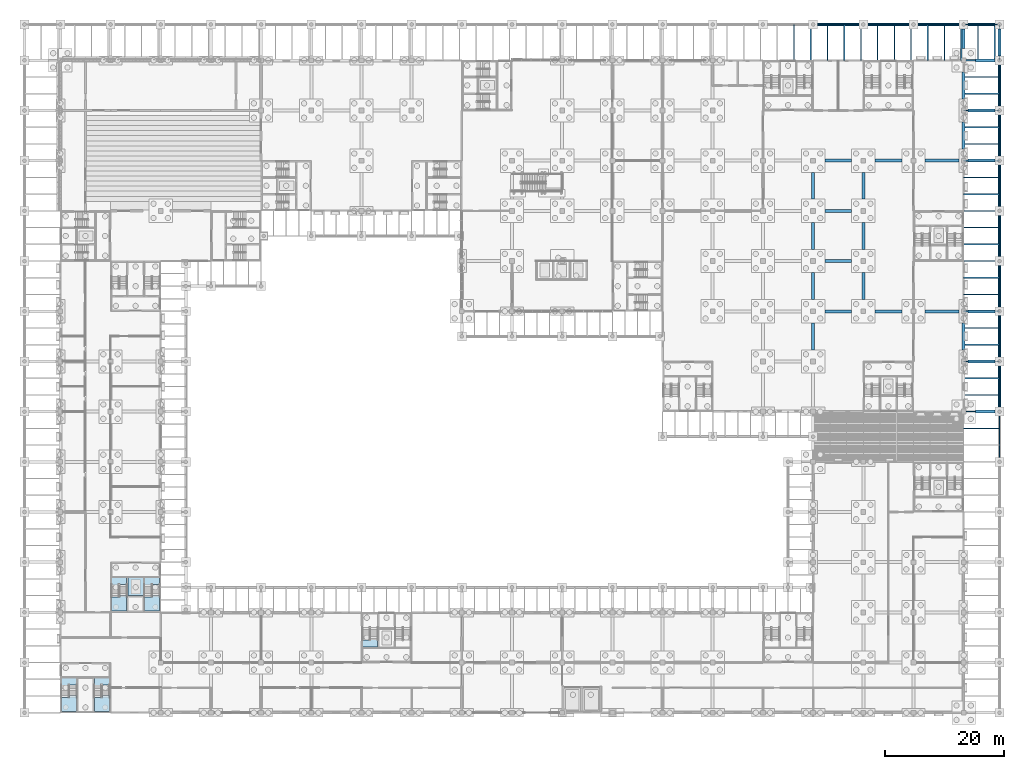
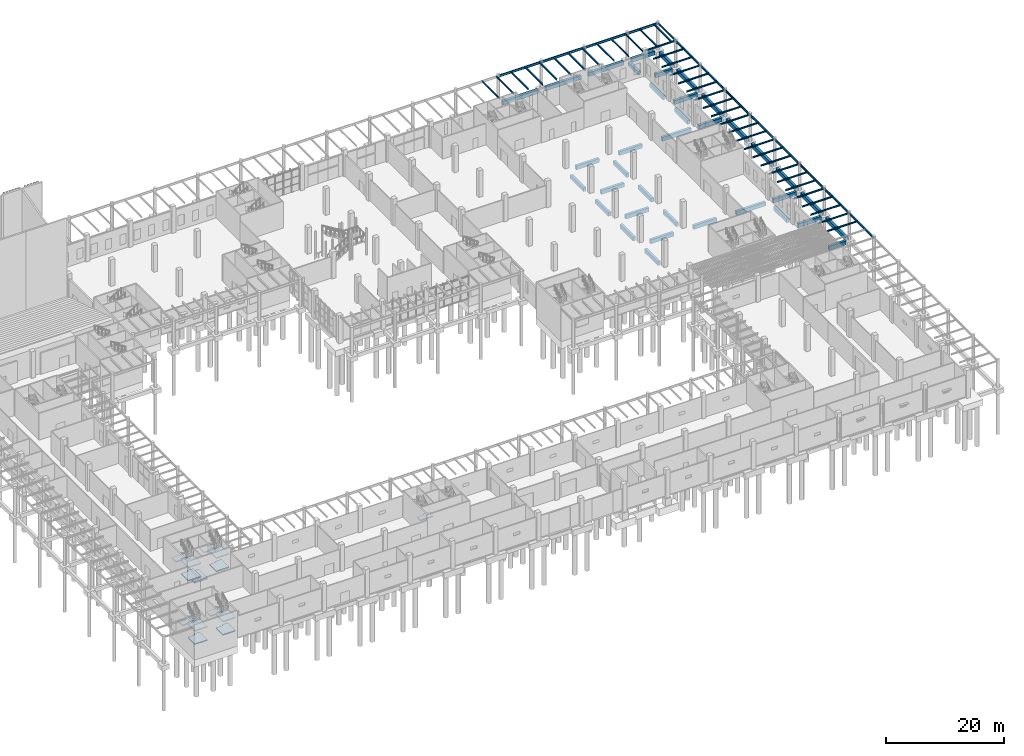
# One storey, part 20 of 82: 49 beams, 37 members, 14 slabs, 5 elements without a shape of their own.
"""IFC4 building model written with IfcOpenShell, lengths in metres."""

import ifcopenshell
import ifcopenshell.guid

model = None  # the IFC model being written
_history = None  # IfcOwnerHistory: only IFC2X3 demands one
_inside = {}  # id of a spatial element -> (the spatial element, [elements in it])
_under = {}  # id of a project, library or spatial element -> (it, [spatial elements below it])
_declared = {}  # id of a project -> (the project, [libraries it declares])
_typed = {}  # id of a type object -> (the type object, [elements of that type])
_made_of = {}  # id of a material, layer set ... -> (it, [elements and type objects made of it])


def new_model(schema):
    """Start an empty IFC model of exactly this schema.

    Asked for "IFC4X3", IfcOpenShell would pick the latest addendum, in which some entities
    have other attributes; the version numbers below select the first issue.
    IFC2X3 requires an IfcOwnerHistory on every rooted entity: one is made here for all.
    """
    global model, _history
    if schema == "IFC4X3":
        model = ifcopenshell.file(schema_version=(4, 3, 0, 0))
    else:
        model = ifcopenshell.file(schema=schema)
    _inside.clear()
    _under.clear()
    _declared.clear()
    _typed.clear()
    _made_of.clear()
    _history = None
    if model.schema == "IFC2X3":
        org = make("IfcOrganization", Name="unknown")
        user = make(
            "IfcPersonAndOrganization",
            ThePerson=make("IfcPerson", FamilyName="unknown"),
            TheOrganization=org,
        )
        app = make(
            "IfcApplication",
            ApplicationDeveloper=org,
            Version="unknown",
            ApplicationFullName="unknown",
            ApplicationIdentifier="unknown",
        )
        _history = make(
            "IfcOwnerHistory",
            OwningUser=user,
            OwningApplication=app,
            ChangeAction="ADDED",
            CreationDate=0,
        )
    return model


def make(cls, **values):
    """One entity of the class cls with the attributes given. An attribute that is None is left unset."""
    return model.create_entity(
        cls, **{name: value for name, value in values.items() if value is not None}
    )


def rooted(cls, **values):
    """An entity with a GlobalId (a new one), such as an element, a storey or a relation."""
    return make(cls, GlobalId=ifcopenshell.guid.new(), OwnerHistory=_history, **values)


def si_unit(unit_type, name, prefix=None):
    """IfcSIUnit, for example si_unit("LENGTHUNIT", "METRE", prefix="MILLI")."""
    return make("IfcSIUnit", UnitType=unit_type, Prefix=prefix, Name=name)


def assignment(units):
    """IfcUnitAssignment: the units of a project."""
    return None if units is None else make("IfcUnitAssignment", Units=units)


def point(xyz):
    """IfcCartesianPoint."""
    return None if xyz is None else make("IfcCartesianPoint", Coordinates=xyz)


def direction(xyz):
    """IfcDirection."""
    return None if xyz is None else make("IfcDirection", DirectionRatios=xyz)


def frame(location, z_axis=None, x_axis=None):
    """IfcAxis2Placement3D, a coordinate frame: its origin and axes. An axis left out is left unset."""
    return make(
        "IfcAxis2Placement3D",
        Location=point(location),
        Axis=direction(z_axis),
        RefDirection=direction(x_axis),
    )


def frame_2d(location, x_axis=None):
    """IfcAxis2Placement2D, a coordinate frame in the plane: its origin and x axis."""
    return make(
        "IfcAxis2Placement2D", Location=point(location), RefDirection=direction(x_axis)
    )


def origin():
    """The frame at (0, 0, 0) with its axes left unset."""
    return frame((0.0, 0.0, 0.0))


def origin_2d():
    """The frame at (0, 0) in the plane with its x axis left unset."""
    return frame_2d((0.0, 0.0))


def place(relative_to, where):
    """IfcLocalPlacement: puts the frame where relative to a parent placement (None: the world)."""
    return make(
        "IfcLocalPlacement", PlacementRelTo=relative_to, RelativePlacement=where
    )


def context(
    kind, dimensions, precision=None, world=None, true_north=None, identifier=None
):
    """IfcGeometricRepresentationContext, for example the 3D "Model" context."""
    return make(
        "IfcGeometricRepresentationContext",
        ContextIdentifier=identifier,
        ContextType=kind,
        CoordinateSpaceDimension=dimensions,
        Precision=precision,
        WorldCoordinateSystem=world,
        TrueNorth=true_north,
    )


def subcontext(parent, identifier, kind, view, scale=None):
    """IfcGeometricRepresentationSubContext, for example "Body" below "Model"."""
    return make(
        "IfcGeometricRepresentationSubContext",
        ContextIdentifier=identifier,
        ContextType=kind,
        ParentContext=parent,
        TargetScale=scale,
        TargetView=view,
    )


def project(units=None, contexts=None):
    """IfcProject with its units and contexts."""
    return rooted(
        "IfcProject",
        Name="project",
        RepresentationContexts=contexts,
        UnitsInContext=assignment(units),
    )


def spatial(cls, under=None, at=None, **own):
    """A site, building, storey or space (cls), placed at a placement, below another one or the project."""
    s = rooted(cls, ObjectPlacement=at, **own)
    if under is not None:
        _under.setdefault(under.id(), (under, []))[1].append(s)
    return s


def polyline(points):
    """IfcPolyline through the points."""
    return make("IfcPolyline", Points=[point(p) for p in points])


def profile(cls, at=None, kind="AREA", **sizes):
    """A parametric profile (cls). Its sizes go by their IFC names, for example OverallWidth=200.0."""
    return make(cls, ProfileType=kind, Position=at, **sizes)


def rectangle(**sizes):
    """IfcRectangleProfileDef."""
    return profile("IfcRectangleProfileDef", **sizes)


def i_section(**sizes):
    """IfcIShapeProfileDef."""
    return profile("IfcIShapeProfileDef", **sizes)


def outline(outer, holes=None, kind="AREA"):
    """IfcArbitraryClosedProfileDef: a profile drawn as a closed curve; with holes, ...WithVoids."""
    if holes is None:
        return make("IfcArbitraryClosedProfileDef", ProfileType=kind, OuterCurve=outer)
    return make(
        "IfcArbitraryProfileDefWithVoids",
        ProfileType=kind,
        OuterCurve=outer,
        InnerCurves=holes,
    )


def extrude(swept, where, along, depth):
    """IfcExtrudedAreaSolid: the profile swept, set in the frame where, extruded along a direction by depth."""
    return make(
        "IfcExtrudedAreaSolid",
        SweptArea=swept,
        Position=where,
        ExtrudedDirection=direction(along),
        Depth=depth,
    )


def shape(context_of_items, identifier, shape_type, items):
    """IfcShapeRepresentation: the items that make up one representation, for example the "Body"."""
    return make(
        "IfcShapeRepresentation",
        ContextOfItems=context_of_items,
        RepresentationIdentifier=identifier,
        RepresentationType=shape_type,
        Items=items,
    )


def material(Name=None, Category=None):
    """IfcMaterial."""
    return make("IfcMaterial", Name=Name, Category=Category)


def layer(
    of_material, thickness, ventilated=None, Name=None, Category=None, Priority=None
):
    """IfcMaterialLayer: one layer of a wall or slab, of a material (None: an air gap)."""
    return make(
        "IfcMaterialLayer",
        Material=of_material,
        LayerThickness=thickness,
        IsVentilated=ventilated,
        Name=Name,
        Category=Category,
        Priority=Priority,
    )


def layer_set(layers, Name=None):
    """IfcMaterialLayerSet."""
    return make("IfcMaterialLayerSet", MaterialLayers=layers, LayerSetName=Name)


def material_profile(
    of_material, cross_section, Name=None, Category=None, Priority=None
):
    """IfcMaterialProfile: a cross section and its material."""
    return make(
        "IfcMaterialProfile",
        Name=Name,
        Material=of_material,
        Profile=cross_section,
        Priority=Priority,
        Category=Category,
    )


def profile_set(profiles, Name=None, composite=None):
    """IfcMaterialProfileSet."""
    return make(
        "IfcMaterialProfileSet",
        Name=Name,
        MaterialProfiles=profiles,
        CompositeProfile=composite,
    )


def made_of(thing, what):
    """Note that an element or type object is made of a material, layer set ...; save() writes the relation."""
    if what is not None:
        _made_of.setdefault(what.id(), (what, []))[1].append(thing)
    return thing


def type_object(cls, material=None, **own):
    """A type object (cls), such as IfcWallType, which elements share."""
    return made_of(rooted(cls, **own), material)


def element(
    cls,
    number,
    at=None,
    inside=None,
    cuts=None,
    type_object=None,
    material=None,
    context=None,
    identifier="Body",
    shape_type=None,
    held_by="IfcProductDefinitionShape",
    body=None,
    shapes=None,
    **own,
):
    """One element of the class cls, such as IfcWall. Its Tag is "e" and its number.

    at: its placement. inside: the storey or other place that contains it. cuts: it is an
    opening in that element (IfcRelVoidsElement). A single representation is given by context,
    identifier, shape_type and body (its items); several are given by shapes. held_by: the class
    of the entity that holds the representations. save() writes the other relations.
    """
    e = rooted(cls, Tag="e%d" % number, ObjectPlacement=at, **own)
    if body is not None:
        shapes = [shape(context, identifier, shape_type, body)]
    if shapes is not None:
        e.Representation = make(held_by, Representations=shapes)
    if inside is not None:
        _inside.setdefault(inside.id(), (inside, []))[1].append(e)
    if cuts is not None:
        rooted(
            "IfcRelVoidsElement", RelatingBuildingElement=cuts, RelatedOpeningElement=e
        )
    if type_object is not None:
        _typed.setdefault(type_object.id(), (type_object, []))[1].append(e)
    return made_of(e, material)


def aggregate(whole, parts):
    """IfcRelAggregates: a whole, such as a stair, and the parts it consists of."""
    return rooted("IfcRelAggregates", RelatingObject=whole, RelatedObjects=parts)


def save(model, path):
    """Write the relations noted so far, then the file.

    IfcRelAggregates (storeys below a building ...), IfcRelContainedInSpatialStructure (elements
    in a storey), IfcRelDefinesByType, IfcRelAssociatesMaterial and IfcRelDeclares: one each for
    every whole, place, type object, material and project.
    """
    for whole, parts in _under.values():
        aggregate(whole, parts)
    for where, things in _inside.values():
        rooted(
            "IfcRelContainedInSpatialStructure",
            RelatedElements=things,
            RelatingStructure=where,
        )
    for kind, things in _typed.values():
        rooted("IfcRelDefinesByType", RelatedObjects=things, RelatingType=kind)
    for what, things in _made_of.values():
        rooted("IfcRelAssociatesMaterial", RelatedObjects=things, RelatingMaterial=what)
    for by, libraries in _declared.values():
        rooted("IfcRelDeclares", RelatingContext=by, RelatedDefinitions=libraries)
    model.write(path)


model = new_model("IFC4")

# Units and contexts
model_context = context("Model", 3, precision=1e-05, world=origin(), true_north=direction((0.0, 1.0)))
body_context = subcontext(model_context, "Body", "Model", "MODEL_VIEW")
ifc_project = project(units=[si_unit("LENGTHUNIT", "METRE"), si_unit("AREAUNIT", "SQUARE_METRE"), si_unit("VOLUMEUNIT", "CUBIC_METRE"), si_unit("PLANEANGLEUNIT", "RADIAN"), si_unit("MASSUNIT", "GRAM", prefix="KILO")], contexts=[model_context])

# Site, building, storey
site_placement = place(None, origin())
site = spatial("IfcSite", under=ifc_project, at=site_placement, CompositionType="ELEMENT")
building_placement = place(site_placement, origin())
building = spatial("IfcBuilding", under=site, at=building_placement, Name="Almond Square Museum", CompositionType="ELEMENT")
storey_placement = place(building_placement, origin())
storey = spatial("IfcBuildingStorey", under=building, at=storey_placement, Name="L00", CompositionType="ELEMENT", Elevation=0.0)

# Beams
ifc_material_1 = material(Name="Structural steel S355", Category="steel")
ifc_material_profile_1 = material_profile(ifc_material_1, i_section(OverallWidth=0.19091796875, OverallDepth=0.45703125, WebThickness=0.009033203125, FlangeThickness=0.014404296875, at=origin_2d()))
ifc_profile_set_1 = profile_set([ifc_material_profile_1], Name="Structural steel S355")
beam_type_1 = type_object("IfcBeamType", Name="Eave beam W460x74", PredefinedType="BEAM", material=ifc_profile_set_1)
beam_1_placement = place(storey_placement, frame((132.0, 115.199951171875, 5.021484375), z_axis=(1.0, 0.0, 0.0), x_axis=(0.0, 1.0, 0.0)))
element("IfcBeam", 1, at=beam_1_placement, inside=storey, type_object=beam_type_1, Name="ARN roof edge beam 17", PredefinedType="BEAM", context=body_context, shape_type="SweptSolid", body=[
    extrude(i_section(OverallWidth=0.19091796875, OverallDepth=0.45703125, WebThickness=0.009033203125, FlangeThickness=0.014404296875, at=origin_2d()), origin(), (0.0, 0.0, 1.0), 8.39990234375),
])
beam_2_placement = place(storey_placement, frame((140.39990234375, 115.199951171875, 5.021484375), z_axis=(1.0, 0.0, 0.0), x_axis=(0.0, 1.0, 0.0)))
element("IfcBeam", 2, at=beam_2_placement, inside=storey, type_object=beam_type_1, Name="ARN roof edge beam 18", PredefinedType="BEAM", context=body_context, shape_type="SweptSolid", body=[
    extrude(i_section(OverallWidth=0.19091796875, OverallDepth=0.45703125, WebThickness=0.009033203125, FlangeThickness=0.014404296875, at=origin_2d()), origin(), (0.0, 0.0, 1.0), 8.400146484375),
])
beam_3_placement = place(storey_placement, frame((148.800048828125, 115.199951171875, 5.021484375), z_axis=(1.0, 0.0, 0.0), x_axis=(0.0, 1.0, 0.0)))
element("IfcBeam", 3, at=beam_3_placement, inside=storey, type_object=beam_type_1, Name="ARN roof edge beam 19", PredefinedType="BEAM", context=body_context, shape_type="SweptSolid", body=[
    extrude(i_section(OverallWidth=0.19091796875, OverallDepth=0.45703125, WebThickness=0.009033203125, FlangeThickness=0.014404296875, at=origin_2d()), origin(), (0.0, 0.0, 1.0), 8.39990234375),
])
beam_4_placement = place(storey_placement, frame((157.199951171875, 115.199951171875, 5.021484375), z_axis=(1.0, 0.0, 0.0), x_axis=(0.0, 1.0, 0.0)))
element("IfcBeam", 4, at=beam_4_placement, inside=storey, type_object=beam_type_1, Name="ARN roof edge beam 20", PredefinedType="BEAM", context=body_context, shape_type="SweptSolid", body=[
    extrude(i_section(OverallWidth=0.19091796875, OverallDepth=0.45703125, WebThickness=0.009033203125, FlangeThickness=0.014404296875, at=origin_2d()), origin(), (0.0, 0.0, 1.0), 6.0),
])
beam_5_placement = place(storey_placement, frame((163.199951171875, 42.0, 5.021484375), z_axis=(0.0, 1.0, 0.0), x_axis=(-1.0, 0.0, 0.0)))
element("IfcBeam", 5, at=beam_5_placement, inside=storey, type_object=beam_type_1, Name="ARE roof edge beam 6", PredefinedType="BEAM", context=body_context, shape_type="SweptSolid", body=[
    extrude(i_section(OverallWidth=0.19091796875, OverallDepth=0.45703125, WebThickness=0.009033203125, FlangeThickness=0.014404296875, at=origin_2d()), origin(), (0.0, 0.0, 1.0), 8.39990234375),
])
beam_6_placement = place(storey_placement, frame((163.199951171875, 50.39990234375, 5.021484375), z_axis=(0.0, 1.0, 0.0), x_axis=(-1.0, 0.0, 0.0)))
element("IfcBeam", 6, at=beam_6_placement, inside=storey, type_object=beam_type_1, Name="ARE roof edge beam 7", PredefinedType="BEAM", context=body_context, shape_type="SweptSolid", body=[
    extrude(i_section(OverallWidth=0.19091796875, OverallDepth=0.45703125, WebThickness=0.009033203125, FlangeThickness=0.014404296875, at=origin_2d()), origin(), (0.0, 0.0, 1.0), 8.400146484375),
])
beam_7_placement = place(storey_placement, frame((163.199951171875, 58.800048828125, 5.021484375), z_axis=(0.0, 1.0, 0.0), x_axis=(-1.0, 0.0, 0.0)))
element("IfcBeam", 7, at=beam_7_placement, inside=storey, type_object=beam_type_1, Name="ARE roof edge beam 8", PredefinedType="BEAM", context=body_context, shape_type="SweptSolid", body=[
    extrude(i_section(OverallWidth=0.19091796875, OverallDepth=0.45703125, WebThickness=0.009033203125, FlangeThickness=0.014404296875, at=origin_2d()), origin(), (0.0, 0.0, 1.0), 8.39990234375),
])
beam_8_placement = place(storey_placement, frame((163.199951171875, 67.199951171875, 5.021484375), z_axis=(0.0, 1.0, 0.0), x_axis=(-1.0, 0.0, 0.0)))
element("IfcBeam", 8, at=beam_8_placement, inside=storey, type_object=beam_type_1, Name="ARE roof edge beam 9", PredefinedType="BEAM", context=body_context, shape_type="SweptSolid", body=[
    extrude(i_section(OverallWidth=0.19091796875, OverallDepth=0.45703125, WebThickness=0.009033203125, FlangeThickness=0.014404296875, at=origin_2d()), origin(), (0.0, 0.0, 1.0), 8.400146484375),
])
for number, where, z_axis, x_axis, name in (
    (9, (163.199951171875, 75.60009765625, 5.021484375), (0.0, 1.0, 0.0), (-1.0, 0.0, 0.0), "ARE roof edge beam 10"),
    (10, (163.199951171875, 84.0, 5.021484375), (0.0, 1.0, 0.0), (-1.0, 0.0, 0.0), "ARE roof edge beam 11"),
):
    element("IfcBeam", number, at=place(storey_placement, frame(where, z_axis=z_axis, x_axis=x_axis)), inside=storey, type_object=beam_type_1, Name=name, PredefinedType="BEAM", context=body_context, shape_type="SweptSolid", body=[
        extrude(i_section(OverallWidth=0.19091796875, OverallDepth=0.45703125, WebThickness=0.009033203125, FlangeThickness=0.014404296875, at=origin_2d()), origin(), (0.0, 0.0, 1.0), 8.39990234375),
    ])
beam_9_placement = place(storey_placement, frame((163.199951171875, 92.39990234375, 5.021484375), z_axis=(0.0, 1.0, 0.0), x_axis=(-1.0, 0.0, 0.0)))
element("IfcBeam", 11, at=beam_9_placement, inside=storey, type_object=beam_type_1, Name="ARE roof edge beam 12", PredefinedType="BEAM", context=body_context, shape_type="SweptSolid", body=[
    extrude(i_section(OverallWidth=0.19091796875, OverallDepth=0.45703125, WebThickness=0.009033203125, FlangeThickness=0.014404296875, at=origin_2d()), origin(), (0.0, 0.0, 1.0), 8.400146484375),
])
beam_10_placement = place(storey_placement, frame((163.199951171875, 100.800048828125, 5.021484375), z_axis=(0.0, 1.0, 0.0), x_axis=(-1.0, 0.0, 0.0)))
element("IfcBeam", 12, at=beam_10_placement, inside=storey, type_object=beam_type_1, Name="ARE roof edge beam 13", PredefinedType="BEAM", context=body_context, shape_type="SweptSolid", body=[
    extrude(i_section(OverallWidth=0.19091796875, OverallDepth=0.45703125, WebThickness=0.009033203125, FlangeThickness=0.014404296875, at=origin_2d()), origin(), (0.0, 0.0, 1.0), 8.39990234375),
])
ifc_material_2 = material(Name="Concrete C35/45", Category="concrete")
ifc_material_profile_2 = material_profile(ifc_material_2, rectangle(XDim=0.5, YDim=0.800048828125, at=origin_2d()))
ifc_profile_set_2 = profile_set([ifc_material_profile_2], Name="Concrete C35/45")
beam_type_2 = type_object("IfcBeamType", Name="RC ground beam 500 x 800 C35/45", PredefinedType="BEAM", material=ifc_profile_set_2)
beam_11_placement = place(storey_placement, frame((159.14990234375, 50.39990234375, -0.699951171875), z_axis=(1.0, 0.0, 0.0), x_axis=(0.0, 1.0, 0.0)))
element("IfcBeam", 13, at=beam_11_placement, inside=storey, type_object=beam_type_2, Name="Ground beam 077", PredefinedType="BEAM", context=body_context, shape_type="SweptSolid", body=[
    extrude(rectangle(XDim=0.5, YDim=0.800048828125, at=origin_2d()), origin(), (0.0, 0.0, 1.0), 3.300048828125),
])
for number, where, z_axis, x_axis, name in (
    (14, (157.949951171875, 58.800048828125, -0.699951171875), (1.0, 0.0, 0.0), (0.0, 1.0, 0.0), "Ground beam 083"),
    (15, (133.949951171875, 67.199951171875, -0.699951171875), (1.0, 0.0, 0.0), (0.0, 1.0, 0.0), "Ground beam 093"),
    (16, (142.35009765625, 67.199951171875, -0.699951171875), (1.0, 0.0, 0.0), (0.0, 1.0, 0.0), "Ground beam 094"),
):
    element("IfcBeam", number, at=place(storey_placement, frame(where, z_axis=z_axis, x_axis=x_axis)), inside=storey, type_object=beam_type_2, Name=name, PredefinedType="BEAM", context=body_context, shape_type="SweptSolid", body=[
        extrude(rectangle(XDim=0.5, YDim=0.800048828125, at=origin_2d()), origin(), (0.0, 0.0, 1.0), 4.5),
    ])
beam_12_placement = place(storey_placement, frame((150.75, 67.199951171875, -0.699951171875), z_axis=(1.0, 0.0, 0.0), x_axis=(0.0, 1.0, 0.0)))
element("IfcBeam", 17, at=beam_12_placement, inside=storey, type_object=beam_type_2, Name="Ground beam 095", PredefinedType="BEAM", context=body_context, shape_type="SweptSolid", body=[
    extrude(rectangle(XDim=0.5, YDim=0.800048828125, at=origin_2d()), origin(), (0.0, 0.0, 1.0), 5.699951171875),
])
for number, where, z_axis, x_axis, name in (
    (18, (157.949951171875, 67.199951171875, -0.699951171875), (1.0, 0.0, 0.0), (0.0, 1.0, 0.0), "Ground beam 096"),
    (19, (133.949951171875, 75.60009765625, -0.699951171875), (1.0, 0.0, 0.0), (0.0, 1.0, 0.0), "Ground beam 102"),
    (20, (133.949951171875, 84.0, -0.699951171875), (1.0, 0.0, 0.0), (0.0, 1.0, 0.0), "Ground beam 112"),
    (21, (133.949951171875, 92.39990234375, -0.699951171875), (1.0, 0.0, 0.0), (0.0, 1.0, 0.0), "Ground beam 120"),
    (22, (142.35009765625, 92.39990234375, -0.699951171875), (1.0, 0.0, 0.0), (0.0, 1.0, 0.0), "Ground beam 121"),
):
    element("IfcBeam", number, at=place(storey_placement, frame(where, z_axis=z_axis, x_axis=x_axis)), inside=storey, type_object=beam_type_2, Name=name, PredefinedType="BEAM", context=body_context, shape_type="SweptSolid", body=[
        extrude(rectangle(XDim=0.5, YDim=0.800048828125, at=origin_2d()), origin(), (0.0, 0.0, 1.0), 4.5),
    ])
beam_13_placement = place(storey_placement, frame((150.75, 92.39990234375, -0.699951171875), z_axis=(1.0, 0.0, 0.0), x_axis=(0.0, 1.0, 0.0)))
element("IfcBeam", 23, at=beam_13_placement, inside=storey, type_object=beam_type_2, Name="Ground beam 122", PredefinedType="BEAM", context=body_context, shape_type="SweptSolid", body=[
    extrude(rectangle(XDim=0.5, YDim=0.800048828125, at=origin_2d()), origin(), (0.0, 0.0, 1.0), 5.699951171875),
])
for number, where, z_axis, x_axis, name in (
    (24, (157.949951171875, 92.39990234375, -0.699951171875), (1.0, 0.0, 0.0), (0.0, 1.0, 0.0), "Ground beam 123"),
    (25, (157.949951171875, 100.800048828125, -0.699951171875), (1.0, 0.0, 0.0), (0.0, 1.0, 0.0), "Ground beam 131"),
):
    element("IfcBeam", number, at=place(storey_placement, frame(where, z_axis=z_axis, x_axis=x_axis)), inside=storey, type_object=beam_type_2, Name=name, PredefinedType="BEAM", context=body_context, shape_type="SweptSolid", body=[
        extrude(rectangle(XDim=0.5, YDim=0.800048828125, at=origin_2d()), origin(), (0.0, 0.0, 1.0), 4.5),
    ])
beam_14_placement = place(storey_placement, frame((159.14990234375, 109.199951171875, -0.699951171875), z_axis=(1.0, 0.0, 0.0), x_axis=(0.0, 1.0, 0.0)))
element("IfcBeam", 26, at=beam_14_placement, inside=storey, type_object=beam_type_2, Name="Ground beam 143", PredefinedType="BEAM", context=body_context, shape_type="SweptSolid", body=[
    extrude(rectangle(XDim=0.5, YDim=0.800048828125, at=origin_2d()), origin(), (0.0, 0.0, 1.0), 3.300048828125),
])
beam_15_placement = place(storey_placement, frame((132.75, 115.199951171875, -0.699951171875), z_axis=(1.0, 0.0, 0.0), x_axis=(0.0, 1.0, 0.0)))
element("IfcBeam", 27, at=beam_15_placement, inside=storey, type_object=beam_type_2, Name="Ground beam 160", PredefinedType="BEAM", context=body_context, shape_type="SweptSolid", body=[
    extrude(rectangle(XDim=0.5, YDim=0.800048828125, at=origin_2d()), origin(), (0.0, 0.0, 1.0), 6.89990234375),
])
beam_16_placement = place(storey_placement, frame((141.14990234375, 115.199951171875, -0.699951171875), z_axis=(1.0, 0.0, 0.0), x_axis=(0.0, 1.0, 0.0)))
element("IfcBeam", 28, at=beam_16_placement, inside=storey, type_object=beam_type_2, Name="Ground beam 161", PredefinedType="BEAM", context=body_context, shape_type="SweptSolid", body=[
    extrude(rectangle(XDim=0.5, YDim=0.800048828125, at=origin_2d()), origin(), (0.0, 0.0, 1.0), 6.900146484375),
])
beam_17_placement = place(storey_placement, frame((149.550048828125, 115.199951171875, -0.699951171875), z_axis=(1.0, 0.0, 0.0), x_axis=(0.0, 1.0, 0.0)))
element("IfcBeam", 29, at=beam_17_placement, inside=storey, type_object=beam_type_2, Name="Ground beam 162", PredefinedType="BEAM", context=body_context, shape_type="SweptSolid", body=[
    extrude(rectangle(XDim=0.5, YDim=0.800048828125, at=origin_2d()), origin(), (0.0, 0.0, 1.0), 6.89990234375),
])
for number, where, z_axis, x_axis, name in (
    (30, (157.949951171875, 115.199951171875, -0.699951171875), (1.0, 0.0, 0.0), (0.0, 1.0, 0.0), "Ground beam 163"),
    (31, (132.0, 60.75, -0.699951171875), (0.0, 1.0, 0.0), (-1.0, 0.0, 0.0), "Ground beam 281"),
    (32, (132.0, 69.14990234375, -0.699951171875), (0.0, 1.0, 0.0), (-1.0, 0.0, 0.0), "Ground beam 282"),
    (33, (132.0, 77.550048828125, -0.699951171875), (0.0, 1.0, 0.0), (-1.0, 0.0, 0.0), "Ground beam 283"),
    (34, (132.0, 85.949951171875, -0.699951171875), (0.0, 1.0, 0.0), (-1.0, 0.0, 0.0), "Ground beam 284"),
    (35, (140.39990234375, 69.14990234375, -0.699951171875), (0.0, 1.0, 0.0), (-1.0, 0.0, 0.0), "Ground beam 290"),
    (36, (140.39990234375, 77.550048828125, -0.699951171875), (0.0, 1.0, 0.0), (-1.0, 0.0, 0.0), "Ground beam 291"),
    (37, (140.39990234375, 85.949951171875, -0.699951171875), (0.0, 1.0, 0.0), (-1.0, 0.0, 0.0), "Ground beam 292"),
    (38, (157.199951171875, 60.75, -0.699951171875), (0.0, 1.0, 0.0), (-1.0, 0.0, 0.0), "Ground beam 300"),
    (39, (157.199951171875, 94.35009765625, -0.699951171875), (0.0, 1.0, 0.0), (-1.0, 0.0, 0.0), "Ground beam 301"),
    (40, (157.199951171875, 102.75, -0.699951171875), (0.0, 1.0, 0.0), (-1.0, 0.0, 0.0), "Ground beam 302"),
):
    element("IfcBeam", number, at=place(storey_placement, frame(where, z_axis=z_axis, x_axis=x_axis)), inside=storey, type_object=beam_type_2, Name=name, PredefinedType="BEAM", context=body_context, shape_type="SweptSolid", body=[
        extrude(rectangle(XDim=0.5, YDim=0.800048828125, at=origin_2d()), origin(), (0.0, 0.0, 1.0), 4.5),
    ])
beam_18_placement = place(storey_placement, frame((157.199951171875, 111.14990234375, -0.699951171875), z_axis=(0.0, 1.0, 0.0), x_axis=(-1.0, 0.0, 0.0)))
element("IfcBeam", 41, at=beam_18_placement, inside=storey, type_object=beam_type_2, Name="Ground beam 303", PredefinedType="BEAM", context=body_context, shape_type="SweptSolid", body=[
    extrude(rectangle(XDim=0.5, YDim=0.800048828125, at=origin_2d()), origin(), (0.0, 0.0, 1.0), 3.300048828125),
])
beam_19_placement = place(storey_placement, frame((163.199951171875, 51.14990234375, -0.699951171875), z_axis=(0.0, 1.0, 0.0), x_axis=(-1.0, 0.0, 0.0)))
element("IfcBeam", 42, at=beam_19_placement, inside=storey, type_object=beam_type_2, Name="Ground beam 310", PredefinedType="BEAM", context=body_context, shape_type="SweptSolid", body=[
    extrude(rectangle(XDim=0.5, YDim=0.800048828125, at=origin_2d()), origin(), (0.0, 0.0, 1.0), 6.900146484375),
])
beam_20_placement = place(storey_placement, frame((163.199951171875, 59.550048828125, -0.699951171875), z_axis=(0.0, 1.0, 0.0), x_axis=(-1.0, 0.0, 0.0)))
element("IfcBeam", 43, at=beam_20_placement, inside=storey, type_object=beam_type_2, Name="Ground beam 311", PredefinedType="BEAM", context=body_context, shape_type="SweptSolid", body=[
    extrude(rectangle(XDim=0.5, YDim=0.800048828125, at=origin_2d()), origin(), (0.0, 0.0, 1.0), 6.89990234375),
])
beam_21_placement = place(storey_placement, frame((163.199951171875, 67.949951171875, -0.699951171875), z_axis=(0.0, 1.0, 0.0), x_axis=(-1.0, 0.0, 0.0)))
element("IfcBeam", 44, at=beam_21_placement, inside=storey, type_object=beam_type_2, Name="Ground beam 312", PredefinedType="BEAM", context=body_context, shape_type="SweptSolid", body=[
    extrude(rectangle(XDim=0.5, YDim=0.800048828125, at=origin_2d()), origin(), (0.0, 0.0, 1.0), 6.900146484375),
])
for number, where, z_axis, x_axis, name in (
    (45, (163.199951171875, 76.35009765625, -0.699951171875), (0.0, 1.0, 0.0), (-1.0, 0.0, 0.0), "Ground beam 313"),
    (46, (163.199951171875, 84.75, -0.699951171875), (0.0, 1.0, 0.0), (-1.0, 0.0, 0.0), "Ground beam 314"),
):
    element("IfcBeam", number, at=place(storey_placement, frame(where, z_axis=z_axis, x_axis=x_axis)), inside=storey, type_object=beam_type_2, Name=name, PredefinedType="BEAM", context=body_context, shape_type="SweptSolid", body=[
        extrude(rectangle(XDim=0.5, YDim=0.800048828125, at=origin_2d()), origin(), (0.0, 0.0, 1.0), 6.89990234375),
    ])
beam_22_placement = place(storey_placement, frame((163.199951171875, 93.14990234375, -0.699951171875), z_axis=(0.0, 1.0, 0.0), x_axis=(-1.0, 0.0, 0.0)))
element("IfcBeam", 47, at=beam_22_placement, inside=storey, type_object=beam_type_2, Name="Ground beam 315", PredefinedType="BEAM", context=body_context, shape_type="SweptSolid", body=[
    extrude(rectangle(XDim=0.5, YDim=0.800048828125, at=origin_2d()), origin(), (0.0, 0.0, 1.0), 6.900146484375),
])
beam_23_placement = place(storey_placement, frame((163.199951171875, 101.550048828125, -0.699951171875), z_axis=(0.0, 1.0, 0.0), x_axis=(-1.0, 0.0, 0.0)))
element("IfcBeam", 48, at=beam_23_placement, inside=storey, type_object=beam_type_2, Name="Ground beam 316", PredefinedType="BEAM", context=body_context, shape_type="SweptSolid", body=[
    extrude(rectangle(XDim=0.5, YDim=0.800048828125, at=origin_2d()), origin(), (0.0, 0.0, 1.0), 6.89990234375),
])
beam_24_placement = place(storey_placement, frame((163.199951171875, 109.949951171875, -0.699951171875), z_axis=(0.0, 1.0, 0.0), x_axis=(-1.0, 0.0, 0.0)))
element("IfcBeam", 49, at=beam_24_placement, inside=storey, type_object=beam_type_2, Name="Ground beam 317", PredefinedType="BEAM", context=body_context, shape_type="SweptSolid", body=[
    extrude(rectangle(XDim=0.5, YDim=0.800048828125, at=origin_2d()), origin(), (0.0, 0.0, 1.0), 4.5),
])

# Members
ifc_material_3 = material(Name="Structural steel S355", Category="steel")
ifc_material_profile_3 = material_profile(ifc_material_3, i_section(OverallWidth=0.202880859375, OverallDepth=0.302001953125, WebThickness=0.007568359375, FlangeThickness=0.01318359375, at=origin_2d()))
ifc_profile_set_3 = profile_set([ifc_material_profile_3], Name="Structural steel S355")
member_type = type_object("IfcMemberType", Name="Steel joist W310x60", PredefinedType="MEMBER", material=ifc_profile_set_3)
for number, where, z_axis, x_axis, name in (
    (50, (128.800048828125, 109.199951171875, 5.09912109375), (0.0, 1.0, 0.0), (-1.0, 0.0, 0.0), "ARN roof joist 47"),
    (51, (131.60009765625, 109.199951171875, 5.09912109375), (0.0, 1.0, 0.0), (-1.0, 0.0, 0.0), "ARN roof joist 48"),
    (52, (134.39990234375, 109.199951171875, 5.09912109375), (0.0, 1.0, 0.0), (-1.0, 0.0, 0.0), "ARN roof joist 49"),
    (53, (137.199951171875, 109.199951171875, 5.09912109375), (0.0, 1.0, 0.0), (-1.0, 0.0, 0.0), "ARN roof joist 50"),
    (54, (140.0, 109.199951171875, 5.09912109375), (0.0, 1.0, 0.0), (-1.0, 0.0, 0.0), "ARN roof joist 51"),
    (55, (142.800048828125, 109.199951171875, 5.09912109375), (0.0, 1.0, 0.0), (-1.0, 0.0, 0.0), "ARN roof joist 52"),
    (56, (145.60009765625, 109.199951171875, 5.09912109375), (0.0, 1.0, 0.0), (-1.0, 0.0, 0.0), "ARN roof joist 53"),
    (57, (148.39990234375, 109.199951171875, 5.09912109375), (0.0, 1.0, 0.0), (-1.0, 0.0, 0.0), "ARN roof joist 54"),
    (58, (151.199951171875, 109.199951171875, 5.09912109375), (0.0, 1.0, 0.0), (-1.0, 0.0, 0.0), "ARN roof joist 55"),
    (59, (154.0, 109.199951171875, 5.09912109375), (0.0, 1.0, 0.0), (-1.0, 0.0, 0.0), "ARN roof joist 56"),
    (60, (156.800048828125, 109.199951171875, 5.09912109375), (0.0, 1.0, 0.0), (-1.0, 0.0, 0.0), "ARN roof joist 57"),
    (61, (159.60009765625, 109.199951171875, 5.09912109375), (0.0, 1.0, 0.0), (-1.0, 0.0, 0.0), "ARN roof joist 58"),
    (62, (162.39990234375, 109.199951171875, 5.09912109375), (0.0, 1.0, 0.0), (-1.0, 0.0, 0.0), "ARN roof joist 59"),
    (63, (163.199951171875, 109.199951171875, 5.09912109375), (0.0, 1.0, 0.0), (-1.0, 0.0, 0.0), "ARN roof joist 60"),
    (64, (157.199951171875, 47.60009765625, 5.09912109375), (1.0, 0.0, 0.0), (0.0, 1.0, 0.0), "ARE roof joist 18"),
    (65, (157.199951171875, 50.39990234375, 5.09912109375), (1.0, 0.0, 0.0), (0.0, 1.0, 0.0), "ARE roof joist 19"),
    (66, (157.199951171875, 53.199951171875, 5.09912109375), (1.0, 0.0, 0.0), (0.0, 1.0, 0.0), "ARE roof joist 20"),
    (67, (157.199951171875, 56.0, 5.09912109375), (1.0, 0.0, 0.0), (0.0, 1.0, 0.0), "ARE roof joist 21"),
    (68, (157.199951171875, 58.800048828125, 5.09912109375), (1.0, 0.0, 0.0), (0.0, 1.0, 0.0), "ARE roof joist 22"),
    (69, (157.199951171875, 61.60009765625, 5.09912109375), (1.0, 0.0, 0.0), (0.0, 1.0, 0.0), "ARE roof joist 23"),
    (70, (157.199951171875, 64.39990234375, 5.09912109375), (1.0, 0.0, 0.0), (0.0, 1.0, 0.0), "ARE roof joist 24"),
    (71, (157.199951171875, 67.199951171875, 5.09912109375), (1.0, 0.0, 0.0), (0.0, 1.0, 0.0), "ARE roof joist 25"),
    (72, (157.199951171875, 70.0, 5.09912109375), (1.0, 0.0, 0.0), (0.0, 1.0, 0.0), "ARE roof joist 26"),
    (73, (157.199951171875, 72.800048828125, 5.09912109375), (1.0, 0.0, 0.0), (0.0, 1.0, 0.0), "ARE roof joist 27"),
    (74, (157.199951171875, 75.60009765625, 5.09912109375), (1.0, 0.0, 0.0), (0.0, 1.0, 0.0), "ARE roof joist 28"),
    (75, (157.199951171875, 78.39990234375, 5.09912109375), (1.0, 0.0, 0.0), (0.0, 1.0, 0.0), "ARE roof joist 29"),
    (76, (157.199951171875, 81.199951171875, 5.09912109375), (1.0, 0.0, 0.0), (0.0, 1.0, 0.0), "ARE roof joist 30"),
    (77, (157.199951171875, 84.0, 5.09912109375), (1.0, 0.0, 0.0), (0.0, 1.0, 0.0), "ARE roof joist 31"),
    (78, (157.199951171875, 86.800048828125, 5.09912109375), (1.0, 0.0, 0.0), (0.0, 1.0, 0.0), "ARE roof joist 32"),
    (79, (157.199951171875, 89.60009765625, 5.09912109375), (1.0, 0.0, 0.0), (0.0, 1.0, 0.0), "ARE roof joist 33"),
    (80, (157.199951171875, 92.39990234375, 5.09912109375), (1.0, 0.0, 0.0), (0.0, 1.0, 0.0), "ARE roof joist 34"),
    (81, (157.199951171875, 95.199951171875, 5.09912109375), (1.0, 0.0, 0.0), (0.0, 1.0, 0.0), "ARE roof joist 35"),
    (82, (157.199951171875, 98.0, 5.09912109375), (1.0, 0.0, 0.0), (0.0, 1.0, 0.0), "ARE roof joist 36"),
    (83, (157.199951171875, 100.800048828125, 5.09912109375), (1.0, 0.0, 0.0), (0.0, 1.0, 0.0), "ARE roof joist 37"),
    (84, (157.199951171875, 103.60009765625, 5.09912109375), (1.0, 0.0, 0.0), (0.0, 1.0, 0.0), "ARE roof joist 38"),
    (85, (157.199951171875, 106.39990234375, 5.09912109375), (1.0, 0.0, 0.0), (0.0, 1.0, 0.0), "ARE roof joist 39"),
    (86, (157.199951171875, 109.199951171875, 5.09912109375), (1.0, 0.0, 0.0), (0.0, 1.0, 0.0), "ARE roof joist 40"),
):
    element("IfcMember", number, at=place(storey_placement, frame(where, z_axis=z_axis, x_axis=x_axis)), inside=storey, type_object=member_type, Name=name, PredefinedType="MEMBER", context=body_context, shape_type="SweptSolid", body=[
        extrude(i_section(OverallWidth=0.202880859375, OverallDepth=0.302001953125, WebThickness=0.007568359375, FlangeThickness=0.01318359375, at=origin_2d()), origin(), (0.0, 0.0, 1.0), 6.0),
    ])

# Stair, slabs
ifc_material_4 = material(Name="Concrete C40/50", Category="concrete")
stair_type = type_object("IfcStairType", Name="Exit stair 32 risers of 172 mm", PredefinedType="HALF_TURN_STAIR", material=ifc_material_4)
stair_1_placement = place(storey_placement, origin())
stair_1 = element("IfcStair", 87, at=stair_1_placement, inside=storey, type_object=stair_type, Name="L00 stair W1-1", PredefinedType="HALF_TURN_STAIR")
ifc_material_5 = material(Name="Concrete C40/50", Category="concrete")
ifc_layer_1 = layer(ifc_material_5, 0.199951171875)
ifc_layer_set_1 = layer_set([ifc_layer_1], Name="Concrete C40/50")
slab_type_1 = type_object("IfcSlabType", Name="Concrete stair landing 200", PredefinedType="LANDING", material=ifc_layer_set_1)
slab_1_placement = place(storey_placement, frame((0.0, 0.0, 1.175048828125)))
slab_1 = element("IfcSlab", 88, at=slab_1_placement, type_object=slab_type_1, Name="ST-21 landing 1", PredefinedType="LANDING", context=body_context, shape_type="SweptSolid", body=[
    extrude(outline(polyline([(14.60009765625, 19.35302734375), (14.60009765625, 17.0), (17.10009765625, 17.0), (17.10009765625, 19.64990234375), (15.949951171875, 19.64990234375), (15.949951171875, 19.35302734375), (14.60009765625, 19.35302734375)])), origin(), (0.0, 0.0, 1.0), 0.199951171875),
])
slab_2_placement = place(storey_placement, frame((0.0, 0.0, 2.550048828125)))
slab_2 = element("IfcSlab", 89, at=slab_2_placement, type_object=slab_type_1, Name="ST-21 landing 2", PredefinedType="LANDING", context=body_context, shape_type="SweptSolid", body=[
    extrude(outline(polyline([(14.60009765625, 22.60009765625), (14.60009765625, 21.449951171875), (14.60009765625, 21.14990234375), (15.75, 21.14990234375), (15.75, 21.447021484375), (17.10009765625, 21.447021484375), (17.10009765625, 22.60009765625), (14.60009765625, 22.60009765625)])), origin(), (0.0, 0.0, 1.0), 0.199951171875),
])
slab_3_placement = place(storey_placement, frame((0.0, 0.0, 3.925048828125)))
slab_3 = element("IfcSlab", 90, at=slab_3_placement, type_object=slab_type_1, Name="ST-21 landing 3", PredefinedType="LANDING", context=body_context, shape_type="SweptSolid", body=[
    extrude(outline(polyline([(14.60009765625, 19.35302734375), (14.60009765625, 17.0), (17.10009765625, 17.0), (17.10009765625, 19.64990234375), (15.949951171875, 19.64990234375), (15.949951171875, 19.35302734375), (14.60009765625, 19.35302734375)])), origin(), (0.0, 0.0, 1.0), 0.199951171875),
])
aggregate(stair_1, [slab_1, slab_2, slab_3])

stair_2_placement = place(storey_placement, origin())
stair_2 = element("IfcStair", 91, at=stair_2_placement, inside=storey, type_object=stair_type, Name="L00 stair W1-2", PredefinedType="HALF_TURN_STAIR")
slab_4_placement = place(storey_placement, frame((0.0, 0.0, 1.175048828125)))
slab_4 = element("IfcSlab", 92, at=slab_4_placement, type_object=slab_type_1, Name="ST-22 landing 1", PredefinedType="LANDING", context=body_context, shape_type="SweptSolid", body=[
    extrude(outline(polyline([(20.10009765625, 19.35302734375), (20.10009765625, 17.0), (22.60009765625, 17.0), (22.60009765625, 19.64990234375), (21.449951171875, 19.64990234375), (21.449951171875, 19.35302734375), (20.10009765625, 19.35302734375)])), origin(), (0.0, 0.0, 1.0), 0.199951171875),
])
slab_5_placement = place(storey_placement, frame((0.0, 0.0, 2.550048828125)))
slab_5 = element("IfcSlab", 93, at=slab_5_placement, type_object=slab_type_1, Name="ST-22 landing 2", PredefinedType="LANDING", context=body_context, shape_type="SweptSolid", body=[
    extrude(outline(polyline([(20.10009765625, 22.60009765625), (20.10009765625, 21.449951171875), (20.10009765625, 21.14990234375), (21.25, 21.14990234375), (21.25, 21.447021484375), (22.60009765625, 21.447021484375), (22.60009765625, 22.60009765625), (20.10009765625, 22.60009765625)])), origin(), (0.0, 0.0, 1.0), 0.199951171875),
])
slab_6_placement = place(storey_placement, frame((0.0, 0.0, 3.925048828125)))
slab_6 = element("IfcSlab", 94, at=slab_6_placement, type_object=slab_type_1, Name="ST-22 landing 3", PredefinedType="LANDING", context=body_context, shape_type="SweptSolid", body=[
    extrude(outline(polyline([(20.10009765625, 19.35302734375), (20.10009765625, 17.0), (22.60009765625, 17.0), (22.60009765625, 19.64990234375), (21.449951171875, 19.64990234375), (21.449951171875, 19.35302734375), (20.10009765625, 19.35302734375)])), origin(), (0.0, 0.0, 1.0), 0.199951171875),
])
aggregate(stair_2, [slab_4, slab_5, slab_6])

stair_3_placement = place(storey_placement, origin())
stair_3 = element("IfcStair", 95, at=stair_3_placement, inside=storey, type_object=stair_type, Name="L00 stair S1-1", PredefinedType="HALF_TURN_STAIR")
slab_7_placement = place(storey_placement, frame((0.0, 0.0, 1.175048828125)))
slab_7 = element("IfcSlab", 96, at=slab_7_placement, type_object=slab_type_1, Name="ST-27 landing 1", PredefinedType="LANDING", context=body_context, shape_type="SweptSolid", body=[
    extrude(outline(polyline([(6.199951171875, 2.552978515625), (6.199951171875, 0.199951171875), (8.699951171875, 0.199951171875), (8.699951171875, 2.85009765625), (7.550048828125, 2.85009765625), (7.550048828125, 2.552978515625), (6.199951171875, 2.552978515625)])), origin(), (0.0, 0.0, 1.0), 0.199951171875),
])
slab_8_placement = place(storey_placement, frame((0.0, 0.0, 2.550048828125)))
slab_8 = element("IfcSlab", 97, at=slab_8_placement, type_object=slab_type_1, Name="ST-27 landing 2", PredefinedType="LANDING", context=body_context, shape_type="SweptSolid", body=[
    extrude(outline(polyline([(6.199951171875, 5.800048828125), (6.199951171875, 4.64990234375), (6.199951171875, 4.35009765625), (7.35009765625, 4.35009765625), (7.35009765625, 4.64697265625), (8.699951171875, 4.64697265625), (8.699951171875, 5.800048828125), (6.199951171875, 5.800048828125)])), origin(), (0.0, 0.0, 1.0), 0.199951171875),
])
slab_9_placement = place(storey_placement, frame((0.0, 0.0, 3.925048828125)))
slab_9 = element("IfcSlab", 98, at=slab_9_placement, type_object=slab_type_1, Name="ST-27 landing 3", PredefinedType="LANDING", context=body_context, shape_type="SweptSolid", body=[
    extrude(outline(polyline([(6.199951171875, 2.552978515625), (6.199951171875, 0.199951171875), (8.699951171875, 0.199951171875), (8.699951171875, 2.85009765625), (7.550048828125, 2.85009765625), (7.550048828125, 2.552978515625), (6.199951171875, 2.552978515625)])), origin(), (0.0, 0.0, 1.0), 0.199951171875),
])
aggregate(stair_3, [slab_7, slab_8, slab_9])

stair_4_placement = place(storey_placement, origin())
stair_4 = element("IfcStair", 99, at=stair_4_placement, inside=storey, type_object=stair_type, Name="L00 stair S1-2", PredefinedType="HALF_TURN_STAIR")
slab_10_placement = place(storey_placement, frame((0.0, 0.0, 1.175048828125)))
slab_10 = element("IfcSlab", 100, at=slab_10_placement, type_object=slab_type_1, Name="ST-28 landing 1", PredefinedType="LANDING", context=body_context, shape_type="SweptSolid", body=[
    extrude(outline(polyline([(11.699951171875, 2.552978515625), (11.699951171875, 0.199951171875), (14.199951171875, 0.199951171875), (14.199951171875, 2.85009765625), (13.050048828125, 2.85009765625), (13.050048828125, 2.552978515625), (11.699951171875, 2.552978515625)])), origin(), (0.0, 0.0, 1.0), 0.199951171875),
])
slab_11_placement = place(storey_placement, frame((0.0, 0.0, 2.550048828125)))
slab_11 = element("IfcSlab", 101, at=slab_11_placement, type_object=slab_type_1, Name="ST-28 landing 2", PredefinedType="LANDING", context=body_context, shape_type="SweptSolid", body=[
    extrude(outline(polyline([(11.699951171875, 5.800048828125), (11.699951171875, 4.64990234375), (11.699951171875, 4.35009765625), (12.85009765625, 4.35009765625), (12.85009765625, 4.64697265625), (14.199951171875, 4.64697265625), (14.199951171875, 5.800048828125), (11.699951171875, 5.800048828125)])), origin(), (0.0, 0.0, 1.0), 0.199951171875),
])
slab_12_placement = place(storey_placement, frame((0.0, 0.0, 3.925048828125)))
slab_12 = element("IfcSlab", 102, at=slab_12_placement, type_object=slab_type_1, Name="ST-28 landing 3", PredefinedType="LANDING", context=body_context, shape_type="SweptSolid", body=[
    extrude(outline(polyline([(11.699951171875, 2.552978515625), (11.699951171875, 0.199951171875), (14.199951171875, 0.199951171875), (14.199951171875, 2.85009765625), (13.050048828125, 2.85009765625), (13.050048828125, 2.552978515625), (11.699951171875, 2.552978515625)])), origin(), (0.0, 0.0, 1.0), 0.199951171875),
])
aggregate(stair_4, [slab_10, slab_11, slab_12])

# Stair, slab
stair_5_placement = place(storey_placement, origin())
stair_5 = element("IfcStair", 103, at=stair_5_placement, inside=storey, type_object=stair_type, Name="L00 stair S2-1", PredefinedType="HALF_TURN_STAIR")
slab_13_placement = place(storey_placement, frame((0.0, 0.0, 2.550048828125)))
slab_13 = element("IfcSlab", 104, at=slab_13_placement, type_object=slab_type_1, Name="ST-29 landing 2", PredefinedType="LANDING", context=body_context, shape_type="SweptSolid", body=[
    extrude(outline(polyline([(59.10009765625, 11.0), (59.10009765625, 12.14990234375), (59.10009765625, 12.449951171875), (57.949951171875, 12.449951171875), (57.949951171875, 12.153076171875), (56.60009765625, 12.153076171875), (56.60009765625, 11.0), (59.10009765625, 11.0)])), origin(), (0.0, 0.0, 1.0), 0.199951171875),
])
aggregate(stair_5, [slab_13])

# Slab
ifc_material_6 = material(Name="Concrete C35/45", Category="concrete")
ifc_layer_2 = layer(ifc_material_6, 0.300048828125)
ifc_layer_set_2 = layer_set([ifc_layer_2], Name="Concrete C35/45")
slab_type_2 = type_object("IfcSlabType", Name="RC lift pit slab 300 C35/45", PredefinedType="BASESLAB", material=ifc_layer_set_2)
slab_14_placement = place(storey_placement, frame((0.0, 0.0, -1.800048828125)))
element("IfcSlab", 105, at=slab_14_placement, inside=storey, type_object=slab_type_2, Name="Lift pit floor PL-W1", PredefinedType="BASESLAB", context=body_context, shape_type="SweptSolid", body=[
    extrude(outline(polyline([(17.300048828125, 19.60009765625), (19.89990234375, 19.60009765625), (19.89990234375, 22.60009765625), (17.300048828125, 22.60009765625), (17.300048828125, 19.60009765625)])), origin(), (0.0, 0.0, 1.0), 0.300048828125),
])

save(model, "model.ifc")
